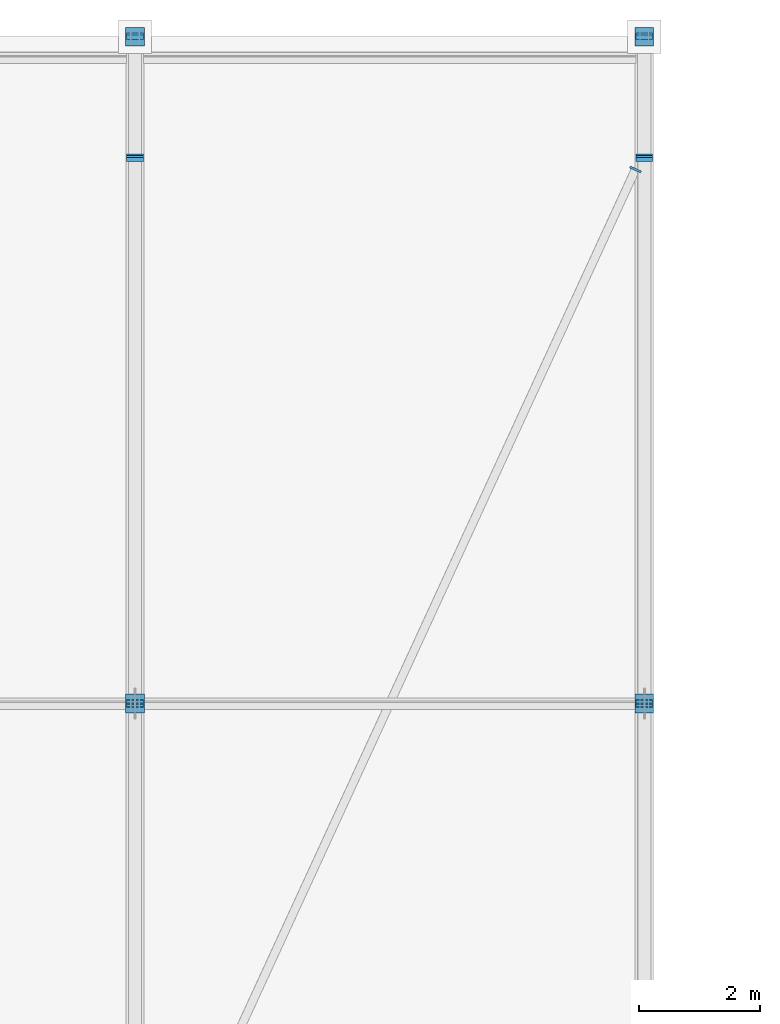
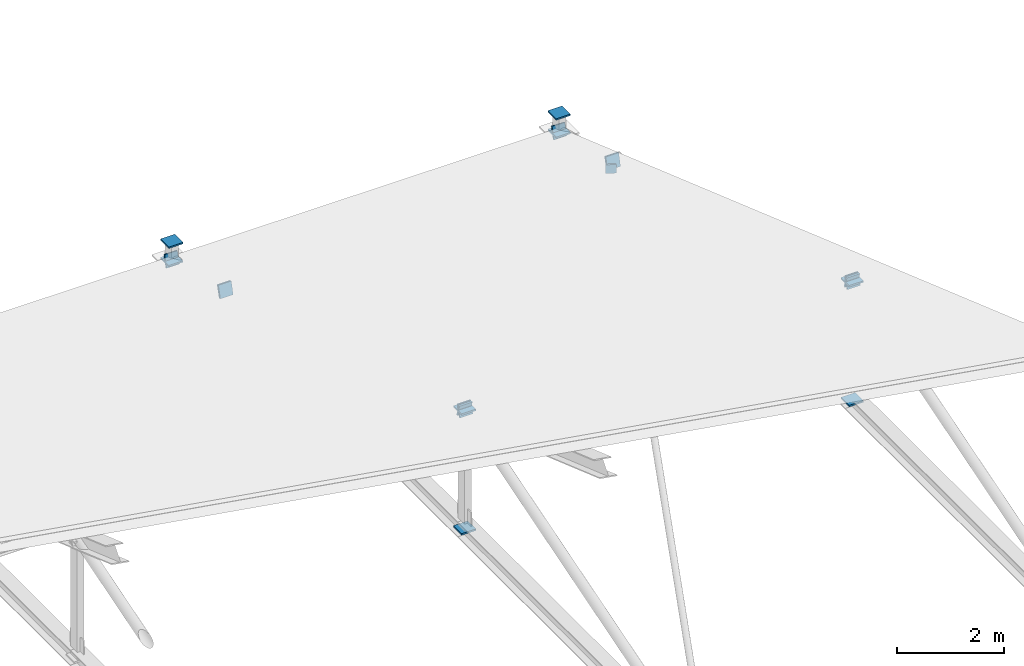
# One storey, part 54 of 57: 19 discrete accessories.
"""IFC4 building model written with IfcOpenShell, lengths in metres."""

from ifc_helpers import new_model, si_unit, direction, frame, origin, origin_2d, place, context, subcontext, project, spatial, rectangle, extrude, material, material_profile, profile_set, type_object, element, save


model = new_model("IFC4")

# Units and contexts
model_context = context("Model", 3, precision=1e-05, world=origin(), true_north=direction((0.0, 1.0)))
body_context = subcontext(model_context, "Body", "Model", "MODEL_VIEW")
ifc_project = project(units=[si_unit("LENGTHUNIT", "METRE"), si_unit("AREAUNIT", "SQUARE_METRE"), si_unit("VOLUMEUNIT", "CUBIC_METRE"), si_unit("PLANEANGLEUNIT", "RADIAN"), si_unit("MASSUNIT", "GRAM", prefix="KILO")], contexts=[model_context])

# Site, building, storey
site_placement = place(None, origin())
site = spatial("IfcSite", under=ifc_project, at=site_placement, CompositionType="ELEMENT")
building_placement = place(site_placement, origin())
building = spatial("IfcBuilding", under=site, at=building_placement, Name="Kelarvand Opera House", CompositionType="ELEMENT")
storey_placement = place(building_placement, frame((0.0, 0.0, 33.60009765625)))
storey = spatial("IfcBuildingStorey", under=building, at=storey_placement, Name="Roof", CompositionType="ELEMENT", Elevation=33.60009765625)

# Discrete accessories
ifc_material = material(Name="Steel S355", Category="steel")
ifc_material_profile_1 = material_profile(ifc_material, rectangle(XDim=0.199951171875, YDim=0.199951171875, at=origin_2d()), Name="Welded Steel Hollow End-Cap Plate 200x200x24", Category="steel")
ifc_profile_set_1 = profile_set([ifc_material_profile_1], Name="Steel S355")
discrete_accessory_type_1 = type_object("IfcDiscreteAccessoryType", Name="Welded Steel Hollow End-Cap Plate 200x200x24", PredefinedType="SHOE", material=ifc_profile_set_1)
discrete_accessory_1_placement = place(storey_placement, frame((50.8466796875, 122.792724609375, -13.580078125), z_axis=(0.419916986117, 0.907562518381, 0.0), x_axis=(-0.907562518381, 0.419916986117, 0.0)))
element("IfcDiscreteAccessory", 1, at=discrete_accessory_1_placement, inside=storey, type_object=discrete_accessory_type_1, Name="Hollow Section Welded End Cap 702", PredefinedType="SHOE", context=body_context, shape_type="SweptSolid", body=[
    extrude(rectangle(XDim=0.199951171875, YDim=0.199951171875, at=origin_2d()), origin(), (0.0, 0.0, 1.0), 0.0361328125),
])
ifc_material_profile_2 = material_profile(ifc_material, rectangle(XDim=0.279052734375, YDim=0.279052734375, at=origin_2d()), Name="Welded Steel Hollow End-Cap Plate 279x279x24", Category="steel")
ifc_profile_set_2 = profile_set([ifc_material_profile_2], Name="Steel S355")
discrete_accessory_type_2 = type_object("IfcDiscreteAccessoryType", Name="Welded Steel Hollow End-Cap Plate 279x279x24", PredefinedType="SHOE", material=ifc_profile_set_2)
for number, where, z_axis, x_axis, name in (
    (2, (42.60009765625, 124.9921875, -14.09814453125), (0.0, 0.968118610388, -0.250492227863), (-1.0, 0.0, 0.0), "Hollow Section Welded End Cap 643"),
    (3, (42.60009765625, 123.0078125, -13.58203125), (0.0, -0.968118610388, 0.250492227863), (1.0, 0.0, 0.0), "Hollow Section Welded End Cap 644"),
    (4, (42.60009765625, 113.9921875, -10.855224609375), (0.0, 0.957081072506, 0.289820324773), (-1.0, 0.0, 0.0), "Hollow Section Welded End Cap 652"),
    (5, (42.60009765625, 114.0078125, -10.855224609375), (0.0, -0.957081072506, 0.289820324773), (1.0, 0.0, 0.0), "Hollow Section Welded End Cap 653"),
    (6, (42.60009765625, 122.9921875, -13.577880859375), (0.0, 0.958934255811, -0.28362844186), (-1.0, 0.0, 0.0), "Hollow Section Welded End Cap 654"),
    (7, (51.0, 124.9921875, -14.09814453125), (0.0, 0.968118610388, -0.250492227863), (-1.0, 0.0, 0.0), "Hollow Section Welded End Cap 667"),
    (8, (51.0, 123.0078125, -13.58203125), (0.0, -0.968118610388, 0.250492227863), (1.0, 0.0, 0.0), "Hollow Section Welded End Cap 668"),
    (9, (51.0, 113.9921875, -10.855224609375), (0.0, 0.957081072506, 0.289820324773), (-1.0, 0.0, 0.0), "Hollow Section Welded End Cap 676"),
    (10, (51.0, 114.0078125, -10.855224609375), (0.0, -0.957081072506, 0.289820324773), (1.0, 0.0, 0.0), "Hollow Section Welded End Cap 677"),
    (11, (51.0, 122.9921875, -13.577880859375), (0.0, 0.958934255811, -0.28362844186), (-1.0, 0.0, 0.0), "Hollow Section Welded End Cap 678"),
):
    element("IfcDiscreteAccessory", number, at=place(storey_placement, frame(where, z_axis=z_axis, x_axis=x_axis)), inside=storey, type_object=discrete_accessory_type_2, Name=name, PredefinedType="SHOE", context=body_context, shape_type="SweptSolid", body=[
        extrude(rectangle(XDim=0.279052734375, YDim=0.279052734375, at=origin_2d()), origin(), (0.0, 0.0, 1.0), 0.0361328125),
    ])
ifc_material_profile_3 = material_profile(ifc_material, rectangle(XDim=0.31005859375, YDim=0.31005859375, at=origin_2d()), Name="Welded Steel Hollow End-Cap Plate 310x310x24", Category="steel")
ifc_profile_set_3 = profile_set([ifc_material_profile_3], Name="Steel S355")
discrete_accessory_type_3 = type_object("IfcDiscreteAccessoryType", Name="Welded Steel Hollow End-Cap Plate 310x310x24", PredefinedType="SHOE", material=ifc_profile_set_3)
discrete_accessory_2_placement = place(storey_placement, frame((42.60009765625, 125.0, -14.092041015625), z_axis=(0.0, 0.0, -1.0), x_axis=(1.0, 0.0, 0.0)))
element("IfcDiscreteAccessory", 12, at=discrete_accessory_2_placement, inside=storey, type_object=discrete_accessory_type_3, Name="Hollow Section Welded End Cap 645", PredefinedType="SHOE", context=body_context, shape_type="SweptSolid", body=[
    extrude(rectangle(XDim=0.31005859375, YDim=0.31005859375, at=origin_2d()), origin(), (0.0, 0.0, 1.0), 0.0361328125),
])
discrete_accessory_3_placement = place(storey_placement, frame((42.60009765625, 125.0, -13.7080078125), z_axis=(0.0, 0.0, 1.0), x_axis=(1.0, 0.0, 0.0)))
element("IfcDiscreteAccessory", 13, at=discrete_accessory_3_placement, inside=storey, type_object=discrete_accessory_type_3, Name="Hollow Section Welded End Cap 646", PredefinedType="SHOE", context=body_context, shape_type="SweptSolid", body=[
    extrude(rectangle(XDim=0.31005859375, YDim=0.31005859375, at=origin_2d()), origin(), (0.0, 0.0, 1.0), 0.035888671875),
])
discrete_accessory_4_placement = place(storey_placement, frame((42.60009765625, 114.0, -13.572021484375), z_axis=(0.0, 0.0, -1.0), x_axis=(1.0, 0.0, 0.0)))
element("IfcDiscreteAccessory", 14, at=discrete_accessory_4_placement, inside=storey, type_object=discrete_accessory_type_3, Name="Hollow Section Welded End Cap 659", PredefinedType="SHOE", context=body_context, shape_type="SweptSolid", body=[
    extrude(rectangle(XDim=0.31005859375, YDim=0.31005859375, at=origin_2d()), origin(), (0.0, 0.0, 1.0), 0.0361328125),
])
discrete_accessory_5_placement = place(storey_placement, frame((42.60009765625, 114.0, -10.86083984375), z_axis=(0.0, 0.0, 1.0), x_axis=(1.0, 0.0, 0.0)))
element("IfcDiscreteAccessory", 15, at=discrete_accessory_5_placement, inside=storey, type_object=discrete_accessory_type_3, Name="Hollow Section Welded End Cap 660", PredefinedType="SHOE", context=body_context, shape_type="SweptSolid", body=[
    extrude(rectangle(XDim=0.31005859375, YDim=0.31005859375, at=origin_2d()), origin(), (0.0, 0.0, 1.0), 0.035888671875),
])
discrete_accessory_6_placement = place(storey_placement, frame((51.0, 125.0, -14.092041015625), z_axis=(0.0, 0.0, -1.0), x_axis=(1.0, 0.0, 0.0)))
element("IfcDiscreteAccessory", 16, at=discrete_accessory_6_placement, inside=storey, type_object=discrete_accessory_type_3, Name="Hollow Section Welded End Cap 669", PredefinedType="SHOE", context=body_context, shape_type="SweptSolid", body=[
    extrude(rectangle(XDim=0.31005859375, YDim=0.31005859375, at=origin_2d()), origin(), (0.0, 0.0, 1.0), 0.0361328125),
])
discrete_accessory_7_placement = place(storey_placement, frame((51.0, 125.0, -13.7080078125), z_axis=(0.0, 0.0, 1.0), x_axis=(1.0, 0.0, 0.0)))
element("IfcDiscreteAccessory", 17, at=discrete_accessory_7_placement, inside=storey, type_object=discrete_accessory_type_3, Name="Hollow Section Welded End Cap 670", PredefinedType="SHOE", context=body_context, shape_type="SweptSolid", body=[
    extrude(rectangle(XDim=0.31005859375, YDim=0.31005859375, at=origin_2d()), origin(), (0.0, 0.0, 1.0), 0.035888671875),
])
discrete_accessory_8_placement = place(storey_placement, frame((51.0, 114.0, -13.572021484375), z_axis=(0.0, 0.0, -1.0), x_axis=(1.0, 0.0, 0.0)))
element("IfcDiscreteAccessory", 18, at=discrete_accessory_8_placement, inside=storey, type_object=discrete_accessory_type_3, Name="Hollow Section Welded End Cap 683", PredefinedType="SHOE", context=body_context, shape_type="SweptSolid", body=[
    extrude(rectangle(XDim=0.31005859375, YDim=0.31005859375, at=origin_2d()), origin(), (0.0, 0.0, 1.0), 0.0361328125),
])
discrete_accessory_9_placement = place(storey_placement, frame((51.0, 114.0, -10.86083984375), z_axis=(0.0, 0.0, 1.0), x_axis=(1.0, 0.0, 0.0)))
element("IfcDiscreteAccessory", 19, at=discrete_accessory_9_placement, inside=storey, type_object=discrete_accessory_type_3, Name="Hollow Section Welded End Cap 684", PredefinedType="SHOE", context=body_context, shape_type="SweptSolid", body=[
    extrude(rectangle(XDim=0.31005859375, YDim=0.31005859375, at=origin_2d()), origin(), (0.0, 0.0, 1.0), 0.035888671875),
])

save(model, "model.ifc")
